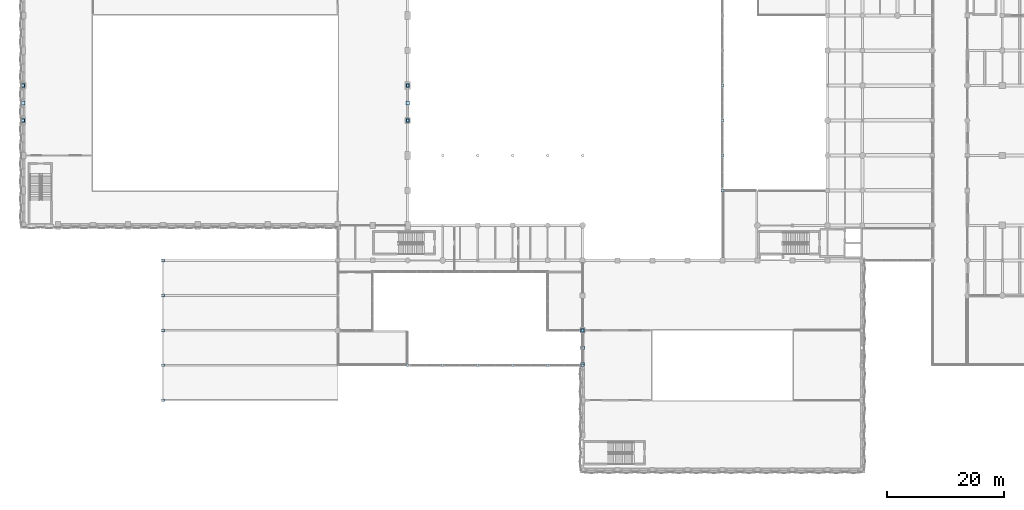
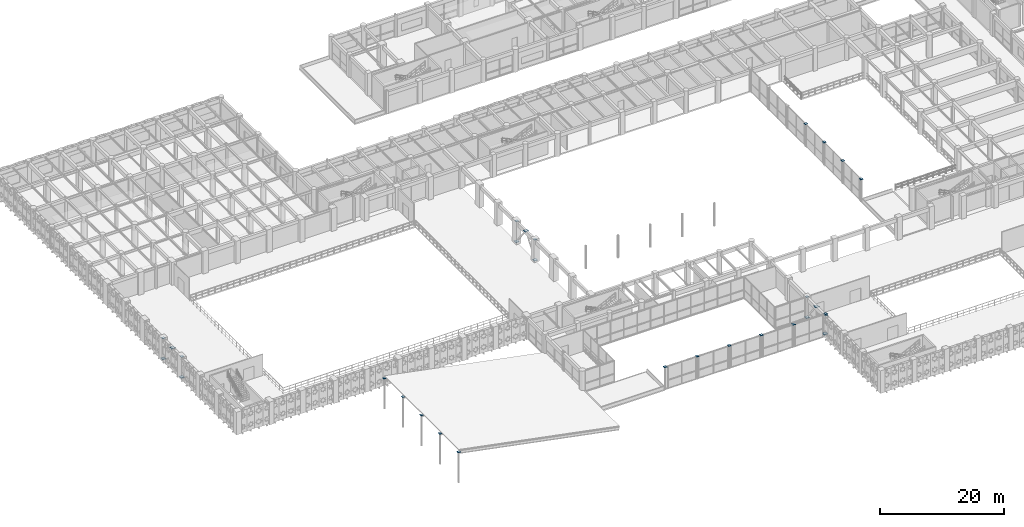
# One storey, part 95 of 133: 30 plates.
"""IFC4 building model written with IfcOpenShell, lengths in metres."""

from ifc_helpers import new_model, si_unit, direction, frame, origin, origin_2d, place, context, subcontext, project, spatial, rectangle, extrude, material, layer, layer_set, type_object, element, save


model = new_model("IFC4")

# Units and contexts
model_context = context("Model", 3, precision=1e-05, world=origin(), true_north=direction((0.0, 1.0)))
body_context = subcontext(model_context, "Body", "Model", "MODEL_VIEW")
ifc_project = project(units=[si_unit("LENGTHUNIT", "METRE"), si_unit("AREAUNIT", "SQUARE_METRE"), si_unit("VOLUMEUNIT", "CUBIC_METRE"), si_unit("PLANEANGLEUNIT", "RADIAN"), si_unit("MASSUNIT", "GRAM", prefix="KILO"), si_unit("THERMODYNAMICTEMPERATUREUNIT", "KELVIN"), si_unit("POWERUNIT", "WATT")], contexts=[model_context])

# Site, building, storey
site_placement = place(None, origin())
site = spatial("IfcSite", under=ifc_project, at=site_placement, CompositionType="ELEMENT")
building_placement = place(site_placement, origin())
building = spatial("IfcBuilding", under=site, at=building_placement, Name="Phaisarnlok Congress Hotel", CompositionType="ELEMENT")
storey_placement = place(building_placement, frame((0.0, 0.0, 6.0)))
storey = spatial("IfcBuildingStorey", under=building, at=storey_placement, Name="L01", CompositionType="ELEMENT", Elevation=6.0)

# Plates
ifc_material = material(Name="Steel S355", Category="steel")
ifc_layer_1 = layer(ifc_material, 0.0400390625, Name="Steel S355")
ifc_layer_set_1 = layer_set([ifc_layer_1], Name="Steel S355")
plate_type_1 = type_object("IfcPlateType", Name="PLT-CAP-480", PredefinedType="SHEET", material=ifc_layer_set_1)
for number, where, z_axis, x_axis, name in (
    (1, (66.0, 18.0, 4.47998046875), (0.0, 0.0, 1.0), (1.0, 0.0, 0.0), "Steel column cap/base plate NP-04 at NP-COLT-COL-L01-066-018"),
    (2, (72.0, 18.0, 4.47998046875), (0.0, 0.0, 1.0), (1.0, 0.0, 0.0), "Steel column cap/base plate NP-04 at NP-COLT-COL-L01-072-018"),
    (3, (78.0, 18.0, 4.47998046875), (0.0, 0.0, 1.0), (1.0, 0.0, 0.0), "Steel column cap/base plate NP-04 at NP-COLT-COL-L01-078-018"),
    (4, (84.0, 18.0, 4.47998046875), (0.0, 0.0, 1.0), (1.0, 0.0, 0.0), "Steel column cap/base plate NP-04 at NP-COLT-COL-L01-084-018"),
    (5, (90.0, 18.0, 4.47998046875), (0.0, 0.0, 1.0), (1.0, 0.0, 0.0), "Steel column cap/base plate NP-04 at NP-COLT-COL-L01-090-018"),
    (6, (96.0, 18.0, 4.47998046875), (0.0, 0.0, 1.0), (1.0, 0.0, 0.0), "Steel column cap/base plate NP-04 at NP-COLT-COL-L01-096-018"),
    (7, (120.0, 48.0, 4.47998046875), (0.0, 0.0, 1.0), (1.0, 0.0, 0.0), "Steel column cap/base plate NP-04 at NP-COLT-COL-L01-120-048"),
    (8, (120.0, 54.0, 4.47998046875), (0.0, 0.0, 1.0), (1.0, 0.0, 0.0), "Steel column cap/base plate NP-04 at NP-COLT-COL-L01-120-054"),
    (9, (120.0, 60.0, 4.47998046875), (0.0, 0.0, 1.0), (1.0, 0.0, 0.0), "Steel column cap/base plate NP-04 at NP-COLT-COL-L01-120-060"),
    (10, (120.0, 66.0, 4.47998046875), (0.0, 0.0, 1.0), (1.0, 0.0, 0.0), "Steel column cap/base plate NP-04 at NP-COLT-COL-L01-120-066"),
):
    element("IfcPlate", number, at=place(storey_placement, frame(where, z_axis=z_axis, x_axis=x_axis)), inside=storey, type_object=plate_type_1, Name=name, PredefinedType="SHEET", context=body_context, shape_type="SweptSolid", body=[
        extrude(rectangle(XDim=0.47998046875, YDim=0.47998046875, at=origin_2d()), origin(), (0.0, 0.0, 1.0), 0.0400390625),
    ])
ifc_layer_2 = layer(ifc_material, 0.01611328125, Name="Steel S355")
ifc_layer_set_2 = layer_set([ifc_layer_2], Name="Steel S355")
plate_type_2 = type_object("IfcPlateType", Name="PLT-GUS-650", PredefinedType="SHEET", material=ifc_layer_set_2)
for number, where, z_axis, x_axis, name in (
    (11, (0.0, 60.0, 0.141845703125), (0.0, 0.0, 1.0), (1.0, 0.0, 0.0), "Steel truss node plate NP-05 at NP-BF-A-L01-A"),
    (12, (0.0, 66.0, 0.141845703125), (0.0, 0.0, 1.0), (1.0, 0.0, 0.0), "Steel truss node plate NP-05 at NP-BF-A-L01-B"),
    (13, (0.0, 63.0, 4.092041015625), (0.0, 0.0, 1.0), (1.0, 0.0, 0.0), "Steel truss node plate NP-05 at NP-BF-A-L01-M"),
    (14, (66.0, 60.0, 0.141845703125), (0.0, 0.0, 1.0), (1.0, 0.0, 0.0), "Steel truss node plate NP-05 at NP-BF-B-L01-A"),
    (15, (66.0, 66.0, 0.141845703125), (0.0, 0.0, 1.0), (1.0, 0.0, 0.0), "Steel truss node plate NP-05 at NP-BF-B-L01-B"),
    (16, (66.0, 63.0, 4.092041015625), (0.0, 0.0, 1.0), (1.0, 0.0, 0.0), "Steel truss node plate NP-05 at NP-BF-B-L01-M"),
    (17, (96.0, 18.169921875, 0.44189453125), (0.0, 0.0, 1.0), (1.0, 0.0, 0.0), "Steel truss node plate NP-05 at NP-BF-C-L01-A"),
    (18, (96.0, 24.0, 0.141845703125), (0.0, 0.0, 1.0), (1.0, 0.0, 0.0), "Steel truss node plate NP-05 at NP-BF-C-L01-B"),
    (19, (96.0, 21.0, 4.092041015625), (0.0, 0.0, 1.0), (1.0, 0.0, 0.0), "Steel truss node plate NP-05 at NP-BF-C-L01-M"),
):
    element("IfcPlate", number, at=place(storey_placement, frame(where, z_axis=z_axis, x_axis=x_axis)), inside=storey, type_object=plate_type_2, Name=name, PredefinedType="SHEET", context=body_context, shape_type="SweptSolid", body=[
        extrude(rectangle(XDim=0.64990234375, YDim=0.64990234375, at=origin_2d()), origin(), (0.0, 0.0, 1.0), 0.01611328125),
    ])
ifc_layer_3 = layer(ifc_material, 0.02001953125, Name="Steel S355")
ifc_layer_set_3 = layer_set([ifc_layer_3], Name="Steel S355")
plate_type_3 = type_object("IfcPlateType", Name="PLT-NODE-480", PredefinedType="SHEET", material=ifc_layer_set_3)
for number, where, z_axis, x_axis, name in (
    (20, (24.0, 12.0, 6.04150390625), (0.0, 0.0, 1.0), (1.0, 0.0, 0.0), "Steel truss node plate NP-03 at NP-MRTC-24-12"),
    (21, (24.0, 18.0, 6.04150390625), (0.0, 0.0, 1.0), (1.0, 0.0, 0.0), "Steel truss node plate NP-03 at NP-MRTC-24-18"),
    (22, (24.0, 24.0, 6.04150390625), (0.0, 0.0, 1.0), (1.0, 0.0, 0.0), "Steel truss node plate NP-03 at NP-MRTC-24-24"),
    (23, (24.0, 30.0, 6.04150390625), (0.0, 0.0, 1.0), (1.0, 0.0, 0.0), "Steel truss node plate NP-03 at NP-MRTC-24-30"),
    (24, (24.0, 36.0, 6.04150390625), (0.0, 0.0, 1.0), (1.0, 0.0, 0.0), "Steel truss node plate NP-03 at NP-MRTC-24-36"),
    (25, (0.0, 60.0, 4.2099609375), (0.0, 0.0, 1.0), (1.0, 0.0, 0.0), "Steel truss node plate NP-03 at NP-BF-A-L01-T1"),
    (26, (0.0, 66.0, 4.2099609375), (0.0, 0.0, 1.0), (1.0, 0.0, 0.0), "Steel truss node plate NP-03 at NP-BF-A-L01-T2"),
    (27, (66.0, 60.0, 4.2099609375), (0.0, 0.0, 1.0), (1.0, 0.0, 0.0), "Steel truss node plate NP-03 at NP-BF-B-L01-T1"),
    (28, (66.0, 66.0, 4.2099609375), (0.0, 0.0, 1.0), (1.0, 0.0, 0.0), "Steel truss node plate NP-03 at NP-BF-B-L01-T2"),
    (29, (96.0, 18.0, 4.2099609375), (0.0, 0.0, 1.0), (1.0, 0.0, 0.0), "Steel truss node plate NP-03 at NP-BF-C-L01-T1"),
    (30, (96.0, 24.0, 4.2099609375), (0.0, 0.0, 1.0), (1.0, 0.0, 0.0), "Steel truss node plate NP-03 at NP-BF-C-L01-T2"),
):
    element("IfcPlate", number, at=place(storey_placement, frame(where, z_axis=z_axis, x_axis=x_axis)), inside=storey, type_object=plate_type_3, Name=name, PredefinedType="SHEET", context=body_context, shape_type="SweptSolid", body=[
        extrude(rectangle(XDim=0.47998046875, YDim=0.47998046875, at=origin_2d()), origin(), (0.0, 0.0, 1.0), 0.02001953125),
    ])

save(model, "model.ifc")
